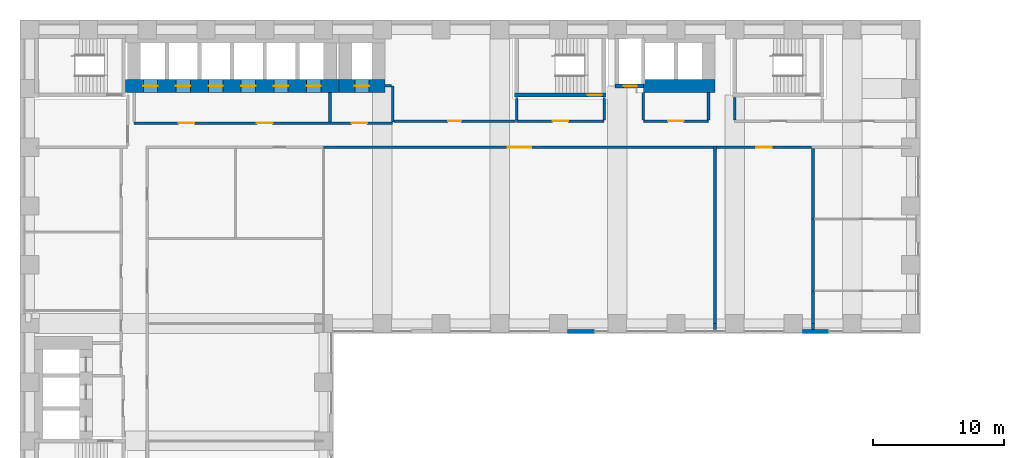
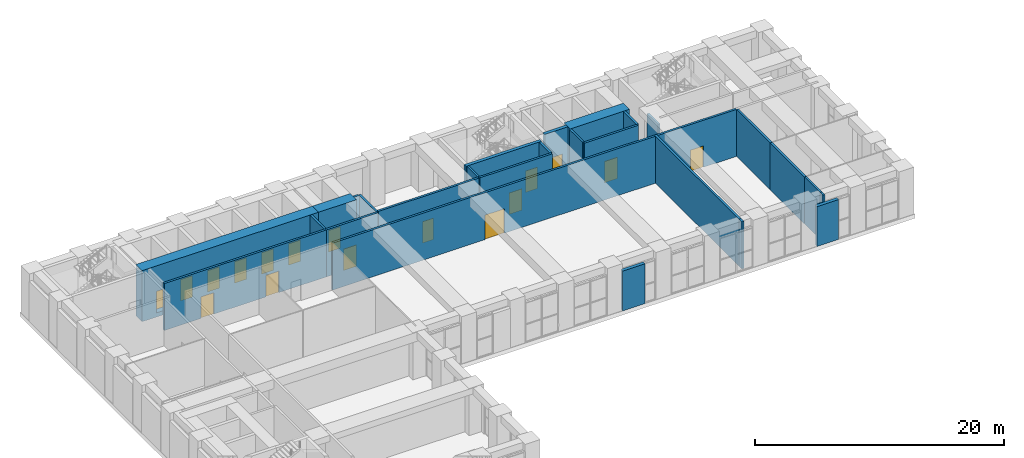
# One storey, part 20 of 34: 28 walls, 17 doors, 17 openings.
"""IFC4 building model written with IfcOpenShell, lengths in metres."""

from ifc_helpers import new_model, si_unit, direction, frame, frame_2d, origin, place, context, subcontext, project, spatial, rectangle, extrude, material, layer, layer_set, type_object, element, fill, save


model = new_model("IFC4")

# Units and contexts
model_context = context("Model", 3, precision=1e-05, world=origin(), true_north=direction((0.0, 1.0)))
body_context = subcontext(model_context, "Body", "Model", "MODEL_VIEW")
ifc_project = project(units=[si_unit("LENGTHUNIT", "METRE"), si_unit("AREAUNIT", "SQUARE_METRE"), si_unit("VOLUMEUNIT", "CUBIC_METRE"), si_unit("PLANEANGLEUNIT", "RADIAN"), si_unit("MASSUNIT", "GRAM", prefix="KILO")], contexts=[model_context])

# Site, building, storey
site_placement = place(None, origin())
site = spatial("IfcSite", under=ifc_project, at=site_placement, CompositionType="ELEMENT")
building_placement = place(site_placement, origin())
building = spatial("IfcBuilding", under=site, at=building_placement, Name="Firuza Court", CompositionType="ELEMENT")
storey_placement = place(building_placement, frame((0.0, 0.0, 14.0)))
storey = spatial("IfcBuildingStorey", under=building, at=storey_placement, Name="L02", CompositionType="ELEMENT", Elevation=14.0)

# Wall, openings, doors
ifc_material_1 = material(Name="Concrete C60/75", Category="concrete")
ifc_layer_1 = layer(ifc_material_1, 1.0)
ifc_layer_set_1 = layer_set([ifc_layer_1], Name="Concrete C60/75")
wall_type_1 = type_object("IfcWallType", Name="Core wall 1000 C60/75", PredefinedType="SHEAR", material=ifc_layer_set_1)
wall_1_placement = place(storey_placement, frame((7.35009765625, 54.199951171875, -0.39990234375), z_axis=(0.0, 0.0, 1.0), x_axis=(1.0, 0.0, 0.0)))
wall_1 = element("IfcWall", 1, at=wall_1_placement, inside=storey, type_object=wall_type_1, Name="Core wall lift shaft L02", PredefinedType="SHEAR", context=body_context, shape_type="SweptSolid", body=[
    extrude(rectangle(XDim=16.349853515625, YDim=1.0, at=frame_2d((8.1748046875, 0.0))), origin(), (0.0, 0.0, 1.0), 5.0),
])
opening_1_placement = place(wall_1_placement, frame((1.35009765625, 0.0, 0.39990234375)))
opening_1 = element("IfcOpeningElement", 2, at=opening_1_placement, cuts=wall_1, Name="Opening LD-LB1-02", PredefinedType="OPENING", context=body_context, shape_type="SweptSolid", body=[
    extrude(rectangle(XDim=1.10009765625, YDim=2.10009765625, at=frame_2d((0.550048828125, 1.050048828125))), frame((0.0, 0.511962890625, 0.0), z_axis=(0.0, -1.0, 0.0), x_axis=(1.0, 0.0, 0.0)), (0.0, 0.0, 1.0), 1.02392578125),
])
opening_2_placement = place(wall_1_placement, frame((3.85009765625, 0.0, 0.39990234375)))
opening_2 = element("IfcOpeningElement", 3, at=opening_2_placement, cuts=wall_1, Name="Opening LD-LB2-02", PredefinedType="OPENING", context=body_context, shape_type="SweptSolid", body=[
    extrude(rectangle(XDim=1.10009765625, YDim=2.10009765625, at=frame_2d((0.550048828125, 1.050048828125))), frame((0.0, 0.511962890625, 0.0), z_axis=(0.0, -1.0, 0.0), x_axis=(1.0, 0.0, 0.0)), (0.0, 0.0, 1.0), 1.02392578125),
])
opening_3_placement = place(wall_1_placement, frame((6.35009765625, 0.0, 0.39990234375)))
opening_3 = element("IfcOpeningElement", 4, at=opening_3_placement, cuts=wall_1, Name="Opening LD-LB3-02", PredefinedType="OPENING", context=body_context, shape_type="SweptSolid", body=[
    extrude(rectangle(XDim=1.10009765625, YDim=2.10009765625, at=frame_2d((0.550048828125, 1.050048828125))), frame((0.0, 0.511962890625, 0.0), z_axis=(0.0, -1.0, 0.0), x_axis=(1.0, 0.0, 0.0)), (0.0, 0.0, 1.0), 1.02392578125),
])
opening_4_placement = place(wall_1_placement, frame((8.85009765625, 0.0, 0.39990234375)))
opening_4 = element("IfcOpeningElement", 5, at=opening_4_placement, cuts=wall_1, Name="Opening LD-LB4-02", PredefinedType="OPENING", context=body_context, shape_type="SweptSolid", body=[
    extrude(rectangle(XDim=1.10009765625, YDim=2.10009765625, at=frame_2d((0.550048828125, 1.050048828125))), frame((0.0, 0.511962890625, 0.0), z_axis=(0.0, -1.0, 0.0), x_axis=(1.0, 0.0, 0.0)), (0.0, 0.0, 1.0), 1.02392578125),
])
opening_5_placement = place(wall_1_placement, frame((11.35009765625, 0.0, 0.39990234375)))
opening_5 = element("IfcOpeningElement", 6, at=opening_5_placement, cuts=wall_1, Name="Opening LD-LB5-02", PredefinedType="OPENING", context=body_context, shape_type="SweptSolid", body=[
    extrude(rectangle(XDim=1.10009765625, YDim=2.10009765625, at=frame_2d((0.550048828125, 1.050048828125))), frame((0.0, 0.511962890625, 0.0), z_axis=(0.0, -1.0, 0.0), x_axis=(1.0, 0.0, 0.0)), (0.0, 0.0, 1.0), 1.02392578125),
])
opening_6_placement = place(wall_1_placement, frame((13.85009765625, 0.0, 0.39990234375)))
opening_6 = element("IfcOpeningElement", 7, at=opening_6_placement, cuts=wall_1, Name="Opening LD-LB6-02", PredefinedType="OPENING", context=body_context, shape_type="SweptSolid", body=[
    extrude(rectangle(XDim=1.10009765625, YDim=2.10009765625, at=frame_2d((0.550048828125, 1.050048828125))), frame((0.0, 0.511962890625, 0.0), z_axis=(0.0, -1.0, 0.0), x_axis=(1.0, 0.0, 0.0)), (0.0, 0.0, 1.0), 1.02392578125),
])
ifc_material_2 = material(Name="Stainless steel 1.4301 door leaf", Category="steel")
door_type_1 = type_object("IfcDoorType", Name="Lift landing door 1100", OperationType="SLIDING_TO_LEFT", PredefinedType="DOOR", material=ifc_material_2)
door_1_placement = place(opening_1_placement, origin())
door_1 = element("IfcDoor", 8, at=door_1_placement, inside=storey, type_object=door_type_1, Name="Landing door LB1", OperationType="SLIDING_TO_LEFT", OverallHeight=2.10009765625, OverallWidth=1.10009765625, PredefinedType="DOOR", context=body_context, shape_type="SweptSolid", body=[
    extrude(rectangle(XDim=1.10009765625, YDim=2.10009765625, at=frame_2d((0.550048828125, 1.050048828125))), frame((0.0, 0.02490234375, 0.0), z_axis=(0.0, -1.0, 0.0), x_axis=(1.0, 0.0, 0.0)), (0.0, 0.0, 1.0), 0.050048828125),
])
fill(opening_1, door_1)
door_2_placement = place(opening_2_placement, origin())
door_2 = element("IfcDoor", 9, at=door_2_placement, inside=storey, type_object=door_type_1, Name="Landing door LB2", OperationType="SLIDING_TO_LEFT", OverallHeight=2.10009765625, OverallWidth=1.10009765625, PredefinedType="DOOR", context=body_context, shape_type="SweptSolid", body=[
    extrude(rectangle(XDim=1.10009765625, YDim=2.10009765625, at=frame_2d((0.550048828125, 1.050048828125))), frame((0.0, 0.02490234375, 0.0), z_axis=(0.0, -1.0, 0.0), x_axis=(1.0, 0.0, 0.0)), (0.0, 0.0, 1.0), 0.050048828125),
])
fill(opening_2, door_2)
door_3_placement = place(opening_3_placement, origin())
door_3 = element("IfcDoor", 10, at=door_3_placement, inside=storey, type_object=door_type_1, Name="Landing door LB3", OperationType="SLIDING_TO_LEFT", OverallHeight=2.10009765625, OverallWidth=1.10009765625, PredefinedType="DOOR", context=body_context, shape_type="SweptSolid", body=[
    extrude(rectangle(XDim=1.10009765625, YDim=2.10009765625, at=frame_2d((0.550048828125, 1.050048828125))), frame((0.0, 0.02490234375, 0.0), z_axis=(0.0, -1.0, 0.0), x_axis=(1.0, 0.0, 0.0)), (0.0, 0.0, 1.0), 0.050048828125),
])
fill(opening_3, door_3)
door_4_placement = place(opening_4_placement, origin())
door_4 = element("IfcDoor", 11, at=door_4_placement, inside=storey, type_object=door_type_1, Name="Landing door LB4", OperationType="SLIDING_TO_LEFT", OverallHeight=2.10009765625, OverallWidth=1.10009765625, PredefinedType="DOOR", context=body_context, shape_type="SweptSolid", body=[
    extrude(rectangle(XDim=1.10009765625, YDim=2.10009765625, at=frame_2d((0.550048828125, 1.050048828125))), frame((0.0, 0.02490234375, 0.0), z_axis=(0.0, -1.0, 0.0), x_axis=(1.0, 0.0, 0.0)), (0.0, 0.0, 1.0), 0.050048828125),
])
fill(opening_4, door_4)
door_5_placement = place(opening_5_placement, origin())
door_5 = element("IfcDoor", 12, at=door_5_placement, inside=storey, type_object=door_type_1, Name="Landing door LB5", OperationType="SLIDING_TO_LEFT", OverallHeight=2.10009765625, OverallWidth=1.10009765625, PredefinedType="DOOR", context=body_context, shape_type="SweptSolid", body=[
    extrude(rectangle(XDim=1.10009765625, YDim=2.10009765625, at=frame_2d((0.550048828125, 1.050048828125))), frame((0.0, 0.02490234375, 0.0), z_axis=(0.0, -1.0, 0.0), x_axis=(1.0, 0.0, 0.0)), (0.0, 0.0, 1.0), 0.050048828125),
])
fill(opening_5, door_5)
door_6_placement = place(opening_6_placement, origin())
door_6 = element("IfcDoor", 13, at=door_6_placement, inside=storey, type_object=door_type_1, Name="Landing door LB6", OperationType="SLIDING_TO_LEFT", OverallHeight=2.10009765625, OverallWidth=1.10009765625, PredefinedType="DOOR", context=body_context, shape_type="SweptSolid", body=[
    extrude(rectangle(XDim=1.10009765625, YDim=2.10009765625, at=frame_2d((0.550048828125, 1.050048828125))), frame((0.0, 0.02490234375, 0.0), z_axis=(0.0, -1.0, 0.0), x_axis=(1.0, 0.0, 0.0)), (0.0, 0.0, 1.0), 0.050048828125),
])
fill(opening_6, door_6)

# Wall, opening, door
wall_2_placement = place(storey_placement, frame((23.699951171875, 54.199951171875, -0.39990234375), z_axis=(0.0, 0.0, 1.0), x_axis=(1.0, 0.0, 0.0)))
wall_2 = element("IfcWall", 14, at=wall_2_placement, inside=storey, type_object=wall_type_1, Name="Core wall lift shaft L02", PredefinedType="SHEAR", context=body_context, shape_type="SweptSolid", body=[
    extrude(rectangle(XDim=3.5, YDim=1.0, at=frame_2d((1.75, 0.0))), origin(), (0.0, 0.0, 1.0), 5.0),
])
opening_7_placement = place(wall_2_placement, frame((1.199951171875, 0.0, 0.39990234375)))
opening_7 = element("IfcOpeningElement", 15, at=opening_7_placement, cuts=wall_2, Name="Opening LD-FL3-02", PredefinedType="OPENING", context=body_context, shape_type="SweptSolid", body=[
    extrude(rectangle(XDim=1.10009765625, YDim=2.10009765625, at=frame_2d((0.550048828125, 1.050048828125))), frame((0.0, 0.511962890625, 0.0), z_axis=(0.0, -1.0, 0.0), x_axis=(1.0, 0.0, 0.0)), (0.0, 0.0, 1.0), 1.02392578125),
])
door_7_placement = place(opening_7_placement, origin())
door_7 = element("IfcDoor", 16, at=door_7_placement, inside=storey, type_object=door_type_1, Name="Landing door FL3", OperationType="SLIDING_TO_LEFT", OverallHeight=2.10009765625, OverallWidth=1.10009765625, PredefinedType="DOOR", context=body_context, shape_type="SweptSolid", body=[
    extrude(rectangle(XDim=1.10009765625, YDim=2.10009765625, at=frame_2d((0.550048828125, 1.050048828125))), frame((0.0, 0.02490234375, 0.0), z_axis=(0.0, -1.0, 0.0), x_axis=(1.0, 0.0, 0.0)), (0.0, 0.0, 1.0), 0.050048828125),
])
fill(opening_7, door_7)

# Wall
wall_3_placement = place(storey_placement, frame((47.0, 54.199951171875, -0.39990234375), z_axis=(0.0, 0.0, 1.0), x_axis=(1.0, 0.0, 0.0)))
element("IfcWall", 17, at=wall_3_placement, inside=storey, type_object=wall_type_1, Name="Core wall lift shaft L02", PredefinedType="SHEAR", context=body_context, shape_type="SweptSolid", body=[
    extrude(rectangle(XDim=5.5, YDim=1.0, at=frame_2d((2.75, 0.0))), origin(), (0.0, 0.0, 1.0), 5.0),
])

# Wall, opening, door
ifc_layer_2 = layer(ifc_material_1, 0.300048828125)
ifc_layer_set_2 = layer_set([ifc_layer_2], Name="Concrete C60/75")
wall_type_2 = type_object("IfcWallType", Name="Core wall 300 C60/75", PredefinedType="SHEAR", material=ifc_layer_set_2)
wall_4_placement = place(storey_placement, frame((37.14990234375, 53.5, -0.39990234375), z_axis=(0.0, 0.0, 1.0), x_axis=(1.0, 0.0, 0.0)))
wall_4 = element("IfcWall", 18, at=wall_4_placement, inside=storey, type_object=wall_type_2, Name="Core wall stair L02", PredefinedType="SHEAR", context=body_context, shape_type="SweptSolid", body=[
    extrude(rectangle(XDim=7.0, YDim=0.300048828125, at=frame_2d((3.5, 0.0))), origin(), (0.0, 0.0, 1.0), 5.0),
])
opening_8_placement = place(wall_4_placement, frame((5.580078125, 0.0, 0.39990234375)))
opening_8 = element("IfcOpeningElement", 19, at=opening_8_placement, cuts=wall_4, Name="Opening D02013", PredefinedType="OPENING", context=body_context, shape_type="SweptSolid", body=[
    extrude(rectangle(XDim=1.10009765625, YDim=2.10009765625, at=frame_2d((0.550048828125, 1.050048828125))), frame((0.0, 0.162109375, 0.0), z_axis=(0.0, -1.0, 0.0), x_axis=(1.0, 0.0, 0.0)), (0.0, 0.0, 1.0), 0.323974609375),
])
ifc_material_3 = material(Name="Timber door leaf in hardwood frame", Category="wood")
door_type_2 = type_object("IfcDoorType", Name="Stair door 1100", OperationType="SINGLE_SWING_LEFT", PredefinedType="DOOR", material=ifc_material_3)
door_8_placement = place(opening_8_placement, origin())
door_8 = element("IfcDoor", 20, at=door_8_placement, inside=storey, type_object=door_type_2, Name="Stair door S1", OperationType="SINGLE_SWING_RIGHT", OverallHeight=2.10009765625, OverallWidth=1.10009765625, PredefinedType="DOOR", context=body_context, shape_type="SweptSolid", body=[
    extrude(rectangle(XDim=1.10009765625, YDim=2.10009765625, at=frame_2d((0.550048828125, 1.050048828125))), frame((0.0, 0.02490234375, 0.0), z_axis=(0.0, -1.0, 0.0), x_axis=(1.0, 0.0, 0.0)), (0.0, 0.0, 1.0), 0.050048828125),
])
fill(opening_8, door_8)

wall_5_placement = place(storey_placement, frame((44.85009765625, 54.199951171875, -0.39990234375), z_axis=(0.0, 0.0, 1.0), x_axis=(1.0, 0.0, 0.0)))
wall_5 = element("IfcWall", 21, at=wall_5_placement, inside=storey, type_object=wall_type_2, Name="Core wall riser L02", PredefinedType="SHEAR", context=body_context, shape_type="SweptSolid", body=[
    extrude(rectangle(XDim=2.14990234375, YDim=0.300048828125, at=frame_2d((1.074951171875, 0.0))), origin(), (0.0, 0.0, 1.0), 5.0),
])
opening_9_placement = place(wall_5_placement, frame((0.64990234375, 0.0, 0.39990234375)))
opening_9 = element("IfcOpeningElement", 22, at=opening_9_placement, cuts=wall_5, Name="Opening D02011", PredefinedType="OPENING", context=body_context, shape_type="SweptSolid", body=[
    extrude(rectangle(XDim=1.0, YDim=2.10009765625, at=frame_2d((0.5, 1.050048828125))), frame((0.0, 0.162109375, 0.0), z_axis=(0.0, -1.0, 0.0), x_axis=(1.0, 0.0, 0.0)), (0.0, 0.0, 1.0), 0.323974609375),
])
ifc_material_4 = material(Name="Timber door leaf in hardwood frame", Category="wood")
door_type_3 = type_object("IfcDoorType", Name="Riser door 1000", OperationType="SINGLE_SWING_LEFT", PredefinedType="DOOR", material=ifc_material_4)
door_9_placement = place(opening_9_placement, frame((1.0, 0.0, 0.0), z_axis=(0.0, 0.0, 1.0), x_axis=(-1.0, 0.0, 0.0)))
door_9 = element("IfcDoor", 23, at=door_9_placement, inside=storey, type_object=door_type_3, Name="Riser door R3", OperationType="SINGLE_SWING_RIGHT", OverallHeight=2.10009765625, OverallWidth=1.0, PredefinedType="DOOR", context=body_context, shape_type="SweptSolid", body=[
    extrude(rectangle(XDim=1.0, YDim=2.10009765625, at=frame_2d((0.5, 1.050048828125))), frame((0.0, 0.02490234375, 0.0), z_axis=(0.0, -1.0, 0.0), x_axis=(1.0, 0.0, 0.0)), (0.0, 0.0, 1.0), 0.050048828125),
])
fill(opening_9, door_9)

ifc_material_5 = material(Name="Blockwork, plastered both sides", Category="masonry")
ifc_layer_3 = layer(ifc_material_5, 0.199951171875)
ifc_layer_set_3 = layer_set([ifc_layer_3], Name="Blockwork, plastered both sides")
wall_type_3 = type_object("IfcWallType", Name="Corridor wall 200", PredefinedType="PARTITIONING", material=ifc_layer_set_3)
wall_6_placement = place(storey_placement, frame((22.5, 49.5, 0.0), z_axis=(0.0, 0.0, 1.0), x_axis=(1.0, 0.0, 0.0)))
wall_6 = element("IfcWall", 24, at=wall_6_placement, inside=storey, type_object=wall_type_3, Name="Corridor wall 200 L02", PredefinedType="PARTITIONING", context=body_context, shape_type="SweptSolid", body=[
    extrude(rectangle(XDim=29.89990234375, YDim=0.199951171875, at=frame_2d((14.949951171875, 0.0))), origin(), (0.0, 0.0, 1.0), 4.60009765625),
])
opening_10_placement = place(wall_6_placement, frame((14.125, 0.0, 0.0)))
opening_10 = element("IfcOpeningElement", 25, at=opening_10_placement, cuts=wall_6, Name="Opening D02034", PredefinedType="OPENING", context=body_context, shape_type="SweptSolid", body=[
    extrude(rectangle(XDim=1.800048828125, YDim=2.39990234375, at=frame_2d((0.89990234375, 1.199951171875))), frame((0.0, 0.11181640625, 0.0), z_axis=(0.0, -1.0, 0.0), x_axis=(1.0, 0.0, 0.0)), (0.0, 0.0, 1.0), 0.223876953125),
])
ifc_material_6 = material(Name="Timber door leaf in hardwood frame", Category="wood")
door_type_4 = type_object("IfcDoorType", Name="Double door 1800 EI 30", OperationType="DOUBLE_DOOR_SINGLE_SWING", PredefinedType="DOOR", material=ifc_material_6)
door_10_placement = place(opening_10_placement, origin())
door_10 = element("IfcDoor", 26, at=door_10_placement, inside=storey, type_object=door_type_4, Name="Double door", OperationType="DOUBLE_DOOR_SINGLE_SWING", OverallHeight=2.39990234375, OverallWidth=1.800048828125, PredefinedType="DOOR", context=body_context, shape_type="SweptSolid", body=[
    extrude(rectangle(XDim=1.800048828125, YDim=2.39990234375, at=frame_2d((0.89990234375, 1.199951171875))), frame((0.0, 0.02490234375, 0.0), z_axis=(0.0, -1.0, 0.0), x_axis=(1.0, 0.0, 0.0)), (0.0, 0.0, 1.0), 0.050048828125),
])
fill(opening_10, door_10)

# Walls
ifc_material_7 = material(Name="Blockwork, fire-rated", Category="masonry")
ifc_layer_4 = layer(ifc_material_7, 0.199951171875)
ifc_layer_set_4 = layer_set([ifc_layer_4], Name="Blockwork, fire-rated")
wall_type_4 = type_object("IfcWallType", Name="Plant room wall 200", PredefinedType="PARTITIONING", material=ifc_layer_set_4)
for number, where, z_axis, x_axis, name in (
    (27, (52.5, 36.0, 0.0), (0.0, 0.0, 1.0), (0.0, -1.0, 0.0), "Plant room wall 200 L02"),
    (28, (60.0, 36.0, 0.0), (0.0, 0.0, 1.0), (0.0, -1.0, 0.0), "Plant room wall 200 L02"),
):
    element("IfcWall", number, at=place(storey_placement, frame(where, z_axis=z_axis, x_axis=x_axis)), inside=storey, type_object=wall_type_4, Name=name, PredefinedType="PARTITIONING", context=body_context, shape_type="SweptSolid", body=[
        extrude(rectangle(XDim=0.449951171875, YDim=0.199951171875, at=frame_2d((0.22509765625, 0.0))), origin(), (0.0, 0.0, 1.0), 4.60009765625),
    ])
wall_7_placement = place(storey_placement, frame((60.0, 38.5, 0.0), z_axis=(0.0, 0.0, 1.0), x_axis=(0.0, -1.0, 0.0)))
element("IfcWall", 29, at=wall_7_placement, inside=storey, type_object=wall_type_4, Name="Plant room wall 200 L02", PredefinedType="PARTITIONING", context=body_context, shape_type="SweptSolid", body=[
    extrude(rectangle(XDim=2.5, YDim=0.199951171875, at=frame_2d((1.25, 0.0))), origin(), (0.0, 0.0, 1.0), 4.60009765625),
])
wall_8_placement = place(storey_placement, frame((60.0, 44.0, 0.0), z_axis=(0.0, 0.0, 1.0), x_axis=(0.0, -1.0, 0.0)))
element("IfcWall", 30, at=wall_8_placement, inside=storey, type_object=wall_type_4, Name="Plant room wall 200 L02", PredefinedType="PARTITIONING", context=body_context, shape_type="SweptSolid", body=[
    extrude(rectangle(XDim=5.5, YDim=0.199951171875, at=frame_2d((2.75, 0.0))), origin(), (0.0, 0.0, 1.0), 4.60009765625),
])
wall_9_placement = place(storey_placement, frame((52.5, 49.60009765625, 0.0), z_axis=(0.0, 0.0, 1.0), x_axis=(0.0, -1.0, 0.0)))
element("IfcWall", 31, at=wall_9_placement, inside=storey, type_object=wall_type_4, Name="Plant room wall 200 L02", PredefinedType="PARTITIONING", context=body_context, shape_type="SweptSolid", body=[
    extrude(rectangle(XDim=13.60009765625, YDim=0.199951171875, at=frame_2d((6.800048828125, 0.0))), origin(), (0.0, 0.0, 1.0), 4.60009765625),
])

# Wall, opening, door
wall_10_placement = place(storey_placement, frame((52.60009765625, 49.5, 0.0), z_axis=(0.0, 0.0, 1.0), x_axis=(1.0, 0.0, 0.0)))
wall_10 = element("IfcWall", 32, at=wall_10_placement, inside=storey, type_object=wall_type_4, Name="Plant room wall 200 L02", PredefinedType="PARTITIONING", context=body_context, shape_type="SweptSolid", body=[
    extrude(rectangle(XDim=7.2998046875, YDim=0.199951171875, at=frame_2d((3.64990234375, 0.0))), origin(), (0.0, 0.0, 1.0), 4.60009765625),
])
opening_11_placement = place(wall_10_placement, frame((3.050048828125, 0.0, 0.0)))
opening_11 = element("IfcOpeningElement", 33, at=opening_11_placement, cuts=wall_10, Name="Opening D02035", PredefinedType="OPENING", context=body_context, shape_type="SweptSolid", body=[
    extrude(rectangle(XDim=1.199951171875, YDim=2.10009765625, at=frame_2d((0.60009765625, 1.050048828125))), frame((0.0, 0.11181640625, 0.0), z_axis=(0.0, -1.0, 0.0), x_axis=(1.0, 0.0, 0.0)), (0.0, 0.0, 1.0), 0.223876953125),
])
ifc_material_8 = material(Name="Timber door leaf in hardwood frame", Category="wood")
door_type_5 = type_object("IfcDoorType", Name="Plant room door 1200", OperationType="SINGLE_SWING_LEFT", PredefinedType="DOOR", material=ifc_material_8)
door_11_placement = place(opening_11_placement, frame((1.199951171875, 0.0, 0.0), z_axis=(0.0, 0.0, 1.0), x_axis=(-1.0, 0.0, 0.0)))
door_11 = element("IfcDoor", 34, at=door_11_placement, inside=storey, type_object=door_type_5, Name="Plant door", OperationType="SINGLE_SWING_RIGHT", OverallHeight=2.10009765625, OverallWidth=1.199951171875, PredefinedType="DOOR", context=body_context, shape_type="SweptSolid", body=[
    extrude(rectangle(XDim=1.199951171875, YDim=2.10009765625, at=frame_2d((0.60009765625, 1.050048828125))), frame((0.0, 0.02490234375, 0.0), z_axis=(0.0, -1.0, 0.0), x_axis=(1.0, 0.0, 0.0)), (0.0, 0.0, 1.0), 0.050048828125),
])
fill(opening_11, door_11)

# Wall
wall_11_placement = place(storey_placement, frame((60.0, 49.39990234375, 0.0), z_axis=(0.0, 0.0, 1.0), x_axis=(0.0, -1.0, 0.0)))
element("IfcWall", 35, at=wall_11_placement, inside=storey, type_object=wall_type_4, Name="Plant room wall 200 L02", PredefinedType="PARTITIONING", context=body_context, shape_type="SweptSolid", body=[
    extrude(rectangle(XDim=5.39990234375, YDim=0.199951171875, at=frame_2d((2.699951171875, 0.0))), origin(), (0.0, 0.0, 1.0), 4.60009765625),
])

# Wall, opening, door
wall_12_placement = place(storey_placement, frame((37.199951171875, 51.5, 0.0), z_axis=(0.0, 0.0, 1.0), x_axis=(-1.0, 0.0, 0.0)))
wall_12 = element("IfcWall", 36, at=wall_12_placement, inside=storey, type_object=wall_type_4, Name="Plant room wall 200 L02", PredefinedType="PARTITIONING", context=body_context, shape_type="SweptSolid", body=[
    extrude(rectangle(XDim=9.300048828125, YDim=0.199951171875, at=frame_2d((4.64990234375, 0.0))), origin(), (0.0, 0.0, 1.0), 4.60009765625),
])
opening_12_placement = place(wall_12_placement, frame((4.14990234375, 0.0, 0.0)))
opening_12 = element("IfcOpeningElement", 37, at=opening_12_placement, cuts=wall_12, Name="Opening D02037", PredefinedType="OPENING", context=body_context, shape_type="SweptSolid", body=[
    extrude(rectangle(XDim=1.0, YDim=2.10009765625, at=frame_2d((0.5, 1.050048828125))), frame((0.0, 0.11181640625, 0.0), z_axis=(0.0, -1.0, 0.0), x_axis=(1.0, 0.0, 0.0)), (0.0, 0.0, 1.0), 0.223876953125),
])
ifc_material_9 = material(Name="Timber door leaf in hardwood frame", Category="wood")
door_type_6 = type_object("IfcDoorType", Name="Store door 1000", OperationType="SINGLE_SWING_LEFT", PredefinedType="DOOR", material=ifc_material_9)
door_12_placement = place(opening_12_placement, frame((1.0, 0.0, 0.0), z_axis=(0.0, 0.0, 1.0), x_axis=(-1.0, 0.0, 0.0)))
door_12 = element("IfcDoor", 38, at=door_12_placement, inside=storey, type_object=door_type_6, Name="Store door", OperationType="SINGLE_SWING_RIGHT", OverallHeight=2.10009765625, OverallWidth=1.0, PredefinedType="DOOR", context=body_context, shape_type="SweptSolid", body=[
    extrude(rectangle(XDim=1.0, YDim=2.10009765625, at=frame_2d((0.5, 1.050048828125))), frame((0.0, 0.02490234375, 0.0), z_axis=(0.0, -1.0, 0.0), x_axis=(1.0, 0.0, 0.0)), (0.0, 0.0, 1.0), 0.050048828125),
])
fill(opening_12, door_12)

# Walls
ifc_material_10 = material(Name="Ceramic tile", Category="ceramic")
ifc_layer_5 = layer(ifc_material_10, 0.02001953125)
ifc_material_11 = material(Name="Mineral wool insulation", Category="insulation")
ifc_layer_6 = layer(ifc_material_11, 0.1298828125)
ifc_material_12 = material(Name="Concrete C40/50 precast", Category="concrete")
ifc_layer_7 = layer(ifc_material_12, 0.14990234375)
ifc_layer_set_5 = layer_set([ifc_layer_5, ifc_layer_6, ifc_layer_7], Name="Concrete C40/50 precast")
wall_type_5 = type_object("IfcWallType", Name="Precast spandrel wall with turquoise TILE PANEL face 300", PredefinedType="STANDARD", material=ifc_layer_set_5)
wall_13_placement = place(storey_placement, frame((41.199951171875, 35.39990234375, 0.0), z_axis=(0.0, 0.0, 1.0), x_axis=(1.0, 0.0, 0.0)))
element("IfcWall", 39, at=wall_13_placement, inside=storey, type_object=wall_type_5, Name="Facade wall L02 S", PredefinedType="STANDARD", context=body_context, shape_type="SweptSolid", body=[
    extrude(rectangle(XDim=2.076416015625, YDim=0.300048828125, at=frame_2d((1.0380859375, 0.0))), origin(), (0.0, 0.0, 1.0), 3.89990234375),
])
wall_14_placement = place(storey_placement, frame((59.199951171875, 35.39990234375, 0.0), z_axis=(0.0, 0.0, 1.0), x_axis=(1.0, 0.0, 0.0)))
element("IfcWall", 40, at=wall_14_placement, inside=storey, type_object=wall_type_5, Name="Facade wall L02 S", PredefinedType="STANDARD", context=body_context, shape_type="SweptSolid", body=[
    extrude(rectangle(XDim=1.998291015625, YDim=0.300048828125, at=frame_2d((0.9990234375, 0.0))), origin(), (0.0, 0.0, 1.0), 3.89990234375),
])

# Wall, openings, doors
ifc_layer_8 = layer(ifc_material_7, 0.199951171875)
ifc_layer_set_6 = layer_set([ifc_layer_8], Name="Blockwork, fire-rated")
wall_type_6 = type_object("IfcWallType", Name="Shaft wall 200", PredefinedType="PARTITIONING", material=ifc_layer_set_6)
wall_15_placement = place(storey_placement, frame((8.0, 51.35009765625, 0.0), z_axis=(0.0, 0.0, 1.0), x_axis=(1.0, 0.0, 0.0)))
wall_15 = element("IfcWall", 41, at=wall_15_placement, inside=storey, type_object=wall_type_6, Name="Shaft wall 200 L02", PredefinedType="PARTITIONING", context=body_context, shape_type="SweptSolid", body=[
    extrude(rectangle(XDim=15.0, YDim=0.199951171875, at=frame_2d((7.5, 0.0))), origin(), (0.0, 0.0, 1.0), 4.60009765625),
])
opening_13_placement = place(wall_15_placement, frame((3.39990234375, 0.0, 0.0)))
opening_13 = element("IfcOpeningElement", 42, at=opening_13_placement, cuts=wall_15, Name="Opening D02004", PredefinedType="OPENING", context=body_context, shape_type="SweptSolid", body=[
    extrude(rectangle(XDim=1.199951171875, YDim=2.10009765625, at=frame_2d((0.60009765625, 1.050048828125))), frame((0.0, 0.11181640625, 0.0), z_axis=(0.0, -1.0, 0.0), x_axis=(1.0, 0.0, 0.0)), (0.0, 0.0, 1.0), 0.223876953125),
])
opening_14_placement = place(wall_15_placement, frame((9.39990234375, 0.0, 0.0)))
opening_14 = element("IfcOpeningElement", 43, at=opening_14_placement, cuts=wall_15, Name="Opening D02005", PredefinedType="OPENING", context=body_context, shape_type="SweptSolid", body=[
    extrude(rectangle(XDim=1.199951171875, YDim=2.10009765625, at=frame_2d((0.60009765625, 1.050048828125))), frame((0.0, 0.11181640625, 0.0), z_axis=(0.0, -1.0, 0.0), x_axis=(1.0, 0.0, 0.0)), (0.0, 0.0, 1.0), 0.223876953125),
])
ifc_material_13 = material(Name="Timber door leaf in hardwood frame", Category="wood")
door_type_7 = type_object("IfcDoorType", Name="Lobby door 1200", OperationType="SINGLE_SWING_LEFT", PredefinedType="DOOR", material=ifc_material_13)
door_13_placement = place(opening_13_placement, origin())
door_13 = element("IfcDoor", 44, at=door_13_placement, inside=storey, type_object=door_type_7, Name="Lobby door", OperationType="SINGLE_SWING_LEFT", OverallHeight=2.10009765625, OverallWidth=1.199951171875, PredefinedType="DOOR", context=body_context, shape_type="SweptSolid", body=[
    extrude(rectangle(XDim=1.199951171875, YDim=2.10009765625, at=frame_2d((0.60009765625, 1.050048828125))), frame((0.0, 0.02490234375, 0.0), z_axis=(0.0, -1.0, 0.0), x_axis=(1.0, 0.0, 0.0)), (0.0, 0.0, 1.0), 0.050048828125),
])
fill(opening_13, door_13)
door_14_placement = place(opening_14_placement, origin())
door_14 = element("IfcDoor", 45, at=door_14_placement, inside=storey, type_object=door_type_7, Name="Lobby door", OperationType="SINGLE_SWING_RIGHT", OverallHeight=2.10009765625, OverallWidth=1.199951171875, PredefinedType="DOOR", context=body_context, shape_type="SweptSolid", body=[
    extrude(rectangle(XDim=1.199951171875, YDim=2.10009765625, at=frame_2d((0.60009765625, 1.050048828125))), frame((0.0, 0.02490234375, 0.0), z_axis=(0.0, -1.0, 0.0), x_axis=(1.0, 0.0, 0.0)), (0.0, 0.0, 1.0), 0.050048828125),
])
fill(opening_14, door_14)

# Wall
wall_16_placement = place(storey_placement, frame((23.0, 51.449951171875, 0.0), z_axis=(0.0, 0.0, 1.0), x_axis=(0.0, 1.0, 0.0)))
element("IfcWall", 46, at=wall_16_placement, inside=storey, type_object=wall_type_6, Name="Shaft wall 200 L02", PredefinedType="PARTITIONING", context=body_context, shape_type="SweptSolid", body=[
    extrude(rectangle(XDim=2.22998046875, YDim=0.199951171875, at=frame_2d((1.114990234375, 0.0))), origin(), (0.0, 0.0, 1.0), 4.60009765625),
])

# Wall, opening, door
wall_17_placement = place(storey_placement, frame((47.0, 51.5, 0.0), z_axis=(0.0, 0.0, 1.0), x_axis=(1.0, 0.0, 0.0)))
wall_17 = element("IfcWall", 47, at=wall_17_placement, inside=storey, type_object=wall_type_6, Name="Shaft wall 200 L02", PredefinedType="PARTITIONING", context=body_context, shape_type="SweptSolid", body=[
    extrude(rectangle(XDim=5.0, YDim=0.199951171875, at=frame_2d((2.5, 0.0))), origin(), (0.0, 0.0, 1.0), 4.60009765625),
])
opening_15_placement = place(wall_17_placement, frame((1.89990234375, 0.0, 0.0)))
opening_15 = element("IfcOpeningElement", 48, at=opening_15_placement, cuts=wall_17, Name="Opening D02009", PredefinedType="OPENING", context=body_context, shape_type="SweptSolid", body=[
    extrude(rectangle(XDim=1.199951171875, YDim=2.10009765625, at=frame_2d((0.60009765625, 1.050048828125))), frame((0.0, 0.11181640625, 0.0), z_axis=(0.0, -1.0, 0.0), x_axis=(1.0, 0.0, 0.0)), (0.0, 0.0, 1.0), 0.223876953125),
])
door_15_placement = place(opening_15_placement, origin())
door_15 = element("IfcDoor", 49, at=door_15_placement, inside=storey, type_object=door_type_7, Name="Lobby door", OperationType="SINGLE_SWING_LEFT", OverallHeight=2.10009765625, OverallWidth=1.199951171875, PredefinedType="DOOR", context=body_context, shape_type="SweptSolid", body=[
    extrude(rectangle(XDim=1.199951171875, YDim=2.10009765625, at=frame_2d((0.60009765625, 1.050048828125))), frame((0.0, 0.02490234375, 0.0), z_axis=(0.0, -1.0, 0.0), x_axis=(1.0, 0.0, 0.0)), (0.0, 0.0, 1.0), 0.050048828125),
])
fill(opening_15, door_15)

# Walls
for number, where, z_axis, x_axis, name in (
    (50, (52.0, 51.60009765625, 0.0), (0.0, 0.0, 1.0), (0.0, 1.0, 0.0), "Shaft wall 200 L02"),
    (51, (47.0, 51.60009765625, 0.0), (0.0, 0.0, 1.0), (0.0, 1.0, 0.0), "Shaft wall 200 L02"),
):
    element("IfcWall", number, at=place(storey_placement, frame(where, z_axis=z_axis, x_axis=x_axis)), inside=storey, type_object=wall_type_6, Name=name, PredefinedType="PARTITIONING", context=body_context, shape_type="SweptSolid", body=[
        extrude(rectangle(XDim=2.079833984375, YDim=0.199951171875, at=frame_2d((1.0400390625, 0.0))), origin(), (0.0, 0.0, 1.0), 4.60009765625),
    ])

# Wall, opening, door
wall_18_placement = place(storey_placement, frame((23.0, 51.35009765625, 0.0), z_axis=(0.0, 0.0, 1.0), x_axis=(1.0, 0.0, 0.0)))
wall_18 = element("IfcWall", 52, at=wall_18_placement, inside=storey, type_object=wall_type_6, Name="Shaft wall 200 L02", PredefinedType="PARTITIONING", context=body_context, shape_type="SweptSolid", body=[
    extrude(rectangle(XDim=4.800048828125, YDim=0.199951171875, at=frame_2d((2.39990234375, 0.0))), origin(), (0.0, 0.0, 1.0), 4.60009765625),
])
opening_16_placement = place(wall_18_placement, frame((1.64990234375, 0.0, 0.0)))
opening_16 = element("IfcOpeningElement", 53, at=opening_16_placement, cuts=wall_18, Name="Opening D02003", PredefinedType="OPENING", context=body_context, shape_type="SweptSolid", body=[
    extrude(rectangle(XDim=1.199951171875, YDim=2.10009765625, at=frame_2d((0.60009765625, 1.050048828125))), frame((0.0, 0.11181640625, 0.0), z_axis=(0.0, -1.0, 0.0), x_axis=(1.0, 0.0, 0.0)), (0.0, 0.0, 1.0), 0.223876953125),
])
door_16_placement = place(opening_16_placement, origin())
door_16 = element("IfcDoor", 54, at=door_16_placement, inside=storey, type_object=door_type_7, Name="Fire-fighting lobby door", OperationType="SINGLE_SWING_LEFT", OverallHeight=2.10009765625, OverallWidth=1.199951171875, PredefinedType="DOOR", context=body_context, shape_type="SweptSolid", body=[
    extrude(rectangle(XDim=1.199951171875, YDim=2.10009765625, at=frame_2d((0.60009765625, 1.050048828125))), frame((0.0, 0.02490234375, 0.0), z_axis=(0.0, -1.0, 0.0), x_axis=(1.0, 0.0, 0.0)), (0.0, 0.0, 1.0), 0.050048828125),
])
fill(opening_16, door_16)

# Walls
wall_19_placement = place(storey_placement, frame((27.800048828125, 51.449951171875, 0.0), z_axis=(0.0, 0.0, 1.0), x_axis=(0.0, 1.0, 0.0)))
element("IfcWall", 55, at=wall_19_placement, inside=storey, type_object=wall_type_6, Name="Shaft wall 200 L02", PredefinedType="PARTITIONING", context=body_context, shape_type="SweptSolid", body=[
    extrude(rectangle(XDim=2.75, YDim=0.199951171875, at=frame_2d((1.375, 0.0))), origin(), (0.0, 0.0, 1.0), 4.60009765625),
])
wall_20_placement = place(storey_placement, frame((27.199951171875, 54.199951171875, 0.0), z_axis=(0.0, 0.0, 1.0), x_axis=(1.0, 0.0, 0.0)))
element("IfcWall", 56, at=wall_20_placement, inside=storey, type_object=wall_type_6, Name="Shaft wall 200 L02", PredefinedType="PARTITIONING", context=body_context, shape_type="SweptSolid", body=[
    extrude(rectangle(XDim=0.5, YDim=0.199951171875, at=frame_2d((0.25, 0.0))), origin(), (0.0, 0.0, 1.0), 4.60009765625),
])

# Wall, opening, door
wall_21_placement = place(storey_placement, frame((37.300048828125, 51.5, 0.0), z_axis=(0.0, 0.0, 1.0), x_axis=(1.0, 0.0, 0.0)))
wall_21 = element("IfcWall", 57, at=wall_21_placement, inside=storey, type_object=wall_type_6, Name="Shaft wall 200 L02", PredefinedType="PARTITIONING", context=body_context, shape_type="SweptSolid", body=[
    extrude(rectangle(XDim=6.699951171875, YDim=0.199951171875, at=frame_2d((3.35009765625, 0.0))), origin(), (0.0, 0.0, 1.0), 4.60009765625),
])
opening_17_placement = place(wall_21_placement, frame((2.75, 0.0, 0.0)))
opening_17 = element("IfcOpeningElement", 58, at=opening_17_placement, cuts=wall_21, Name="Opening D02006", PredefinedType="OPENING", context=body_context, shape_type="SweptSolid", body=[
    extrude(rectangle(XDim=1.199951171875, YDim=2.10009765625, at=frame_2d((0.60009765625, 1.050048828125))), frame((0.0, 0.11181640625, 0.0), z_axis=(0.0, -1.0, 0.0), x_axis=(1.0, 0.0, 0.0)), (0.0, 0.0, 1.0), 0.223876953125),
])
door_17_placement = place(opening_17_placement, origin())
door_17 = element("IfcDoor", 59, at=door_17_placement, inside=storey, type_object=door_type_7, Name="Lobby door", OperationType="SINGLE_SWING_LEFT", OverallHeight=2.10009765625, OverallWidth=1.199951171875, PredefinedType="DOOR", context=body_context, shape_type="SweptSolid", body=[
    extrude(rectangle(XDim=1.199951171875, YDim=2.10009765625, at=frame_2d((0.60009765625, 1.050048828125))), frame((0.0, 0.02490234375, 0.0), z_axis=(0.0, -1.0, 0.0), x_axis=(1.0, 0.0, 0.0)), (0.0, 0.0, 1.0), 0.050048828125),
])
fill(opening_17, door_17)

# Walls
for number, where, z_axis, x_axis, name in (
    (60, (44.0, 51.60009765625, 0.0), (0.0, 0.0, 1.0), (0.0, 1.0, 0.0), "Shaft wall 200 L02"),
    (61, (37.300048828125, 51.60009765625, 0.0), (0.0, 0.0, 1.0), (0.0, 1.0, 0.0), "Shaft wall 200 L02"),
):
    element("IfcWall", number, at=place(storey_placement, frame(where, z_axis=z_axis, x_axis=x_axis)), inside=storey, type_object=wall_type_6, Name=name, PredefinedType="PARTITIONING", context=body_context, shape_type="SweptSolid", body=[
        extrude(rectangle(XDim=1.72998046875, YDim=0.199951171875, at=frame_2d((0.864990234375, 0.0))), origin(), (0.0, 0.0, 1.0), 4.60009765625),
    ])
wall_22_placement = place(storey_placement, frame((54.0, 51.60009765625, 0.0), z_axis=(0.0, 0.0, 1.0), x_axis=(0.0, 1.0, 0.0)))
element("IfcWall", 62, at=wall_22_placement, inside=storey, type_object=wall_type_6, Name="Shaft wall 200 L02", PredefinedType="PARTITIONING", context=body_context, shape_type="SweptSolid", body=[
    extrude(rectangle(XDim=1.72998046875, YDim=0.199951171875, at=frame_2d((0.864990234375, 0.0))), origin(), (0.0, 0.0, 1.0), 3.89990234375),
])

save(model, "model.ifc")
